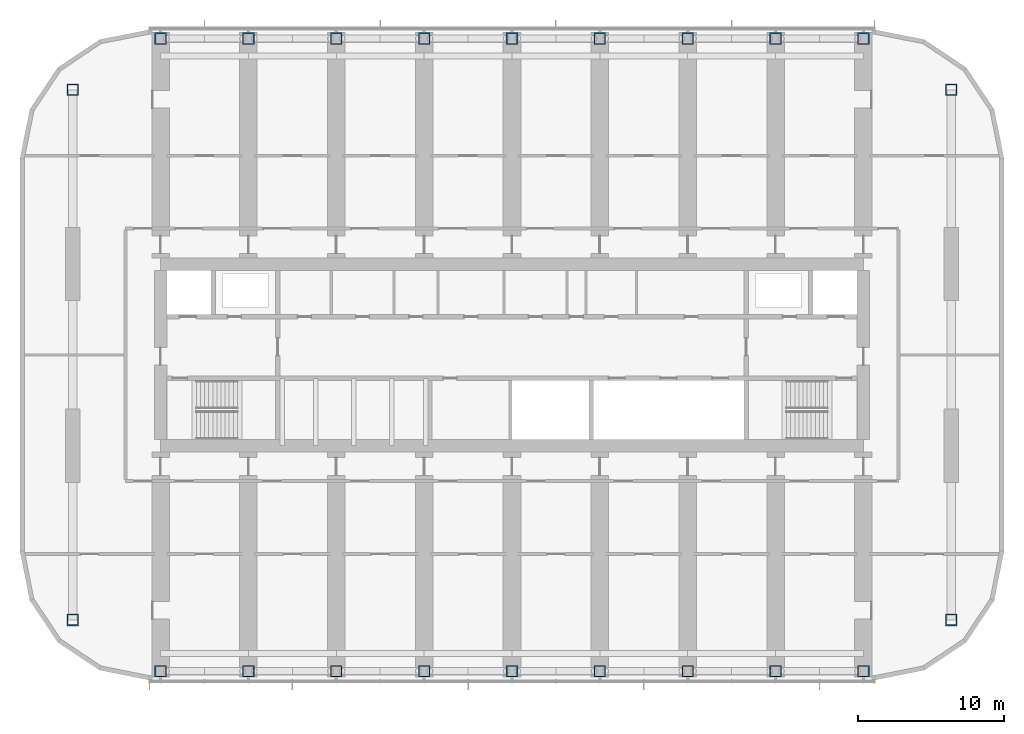
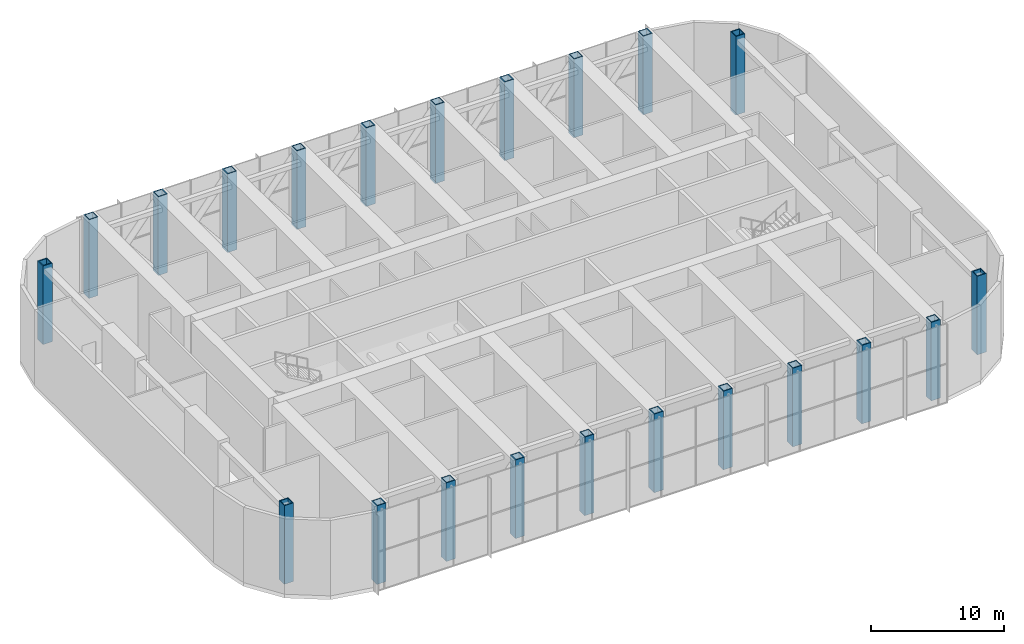
# One storey, part 1 of 22: 22 columns.
"""IFC4 building model written with IfcOpenShell, lengths in metres."""

from ifc_helpers import new_model, si_unit, direction, frame, origin, origin_2d, place, context, subcontext, project, spatial, hollow_rectangle, extrude, material, material_profile, profile_set, type_object, element, save


model = new_model("IFC4")

# Units and contexts
model_context = context("Model", 3, precision=1e-05, world=origin(), true_north=direction((0.0, 1.0)))
body_context = subcontext(model_context, "Body", "Model", "MODEL_VIEW")
ifc_project = project(units=[si_unit("LENGTHUNIT", "METRE"), si_unit("AREAUNIT", "SQUARE_METRE"), si_unit("VOLUMEUNIT", "CUBIC_METRE"), si_unit("PLANEANGLEUNIT", "RADIAN"), si_unit("MASSUNIT", "GRAM", prefix="KILO")], contexts=[model_context])

# Site, building, storey
site_placement = place(None, origin())
site = spatial("IfcSite", under=ifc_project, at=site_placement, CompositionType="ELEMENT")
building_placement = place(site_placement, origin())
building = spatial("IfcBuilding", under=site, at=building_placement, Name="Orbita Commons", CompositionType="ELEMENT")
storey_placement = place(building_placement, frame((0.0, 0.0, 201.10009765625)))
storey = spatial("IfcBuildingStorey", under=building, at=storey_placement, Name="L50", CompositionType="ELEMENT", Elevation=201.10009765625)

# Columns
ifc_material = material(Name="Steel ASTM A572 Gr 50 welded plate", Category="steel")
ifc_material_profile = material_profile(ifc_material, hollow_rectangle(XDim=0.800048828125, YDim=0.800048828125, WallThickness=0.080078125, at=origin_2d()), Name="BOX 800x800x80")
ifc_profile_set = profile_set([ifc_material_profile], Name="Steel ASTM A572 Gr 50 welded plate")
column_type = type_object("IfcColumnType", Name="Steel column BOX 800x800x80", PredefinedType="COLUMN", material=ifc_profile_set)
for number, where, z_axis, x_axis, name in (
    (1, (18.0, 10.39990234375, 0.0), (0.0, 0.0, 1.0), (1.0, 0.0, 0.0), "Column 4/B L50"),
    (2, (18.0, 53.60009765625, 0.0), (0.0, 0.0, 1.0), (1.0, 0.0, 0.0), "Column 4/E L50"),
    (3, (24.0, 10.39990234375, 0.0), (0.0, 0.0, 1.0), (1.0, 0.0, 0.0), "Column 5/B L50"),
    (4, (24.0, 53.60009765625, 0.0), (0.0, 0.0, 1.0), (1.0, 0.0, 0.0), "Column 5/E L50"),
    (5, (30.0, 10.39990234375, 0.0), (0.0, 0.0, 1.0), (1.0, 0.0, 0.0), "Column 6/B L50"),
    (6, (30.0, 53.60009765625, 0.0), (0.0, 0.0, 1.0), (1.0, 0.0, 0.0), "Column 6/E L50"),
    (7, (36.0, 10.39990234375, 0.0), (0.0, 0.0, 1.0), (1.0, 0.0, 0.0), "Column 7/B L50"),
    (8, (36.0, 53.60009765625, 0.0), (0.0, 0.0, 1.0), (1.0, 0.0, 0.0), "Column 7/E L50"),
    (9, (42.0, 10.39990234375, 0.0), (0.0, 0.0, 1.0), (1.0, 0.0, 0.0), "Column 8/B L50"),
    (10, (42.0, 53.60009765625, 0.0), (0.0, 0.0, 1.0), (1.0, 0.0, 0.0), "Column 8/E L50"),
    (11, (48.0, 10.39990234375, 0.0), (0.0, 0.0, 1.0), (1.0, 0.0, 0.0), "Column 9/B L50"),
    (12, (48.0, 53.60009765625, 0.0), (0.0, 0.0, 1.0), (1.0, 0.0, 0.0), "Column 9/E L50"),
    (13, (54.0, 10.39990234375, 0.0), (0.0, 0.0, 1.0), (1.0, 0.0, 0.0), "Column 10/B L50"),
    (14, (54.0, 53.60009765625, 0.0), (0.0, 0.0, 1.0), (1.0, 0.0, 0.0), "Column 10/E L50"),
    (15, (60.0, 10.39990234375, 0.0), (0.0, 0.0, 1.0), (1.0, 0.0, 0.0), "Column 11/B L50"),
    (16, (60.0, 53.60009765625, 0.0), (0.0, 0.0, 1.0), (1.0, 0.0, 0.0), "Column 11/E L50"),
    (17, (66.0, 10.39990234375, 0.0), (0.0, 0.0, 1.0), (1.0, 0.0, 0.0), "Column 12/B L50"),
    (18, (66.0, 53.60009765625, 0.0), (0.0, 0.0, 1.0), (1.0, 0.0, 0.0), "Column 12/E L50"),
    (19, (12.0, 13.89990234375, 0.0), (0.0, 0.0, 1.0), (1.0, 0.0, 0.0), "Column 3/13.9 L50"),
    (20, (12.0, 50.10009765625, 0.0), (0.0, 0.0, 1.0), (1.0, 0.0, 0.0), "Column 3/50.1 L50"),
    (21, (72.0, 13.89990234375, 0.0), (0.0, 0.0, 1.0), (1.0, 0.0, 0.0), "Column 13/13.9 L50"),
    (22, (72.0, 50.10009765625, 0.0), (0.0, 0.0, 1.0), (1.0, 0.0, 0.0), "Column 13/50.1 L50"),
):
    element("IfcColumn", number, at=place(storey_placement, frame(where, z_axis=z_axis, x_axis=x_axis)), inside=storey, type_object=column_type, Name=name, PredefinedType="COLUMN", context=body_context, shape_type="SweptSolid", body=[
        extrude(hollow_rectangle(XDim=0.800048828125, YDim=0.800048828125, WallThickness=0.080078125, at=origin_2d()), origin(), (0.0, 0.0, 1.0), 7.199951171875),
    ])

save(model, "model.ifc")
